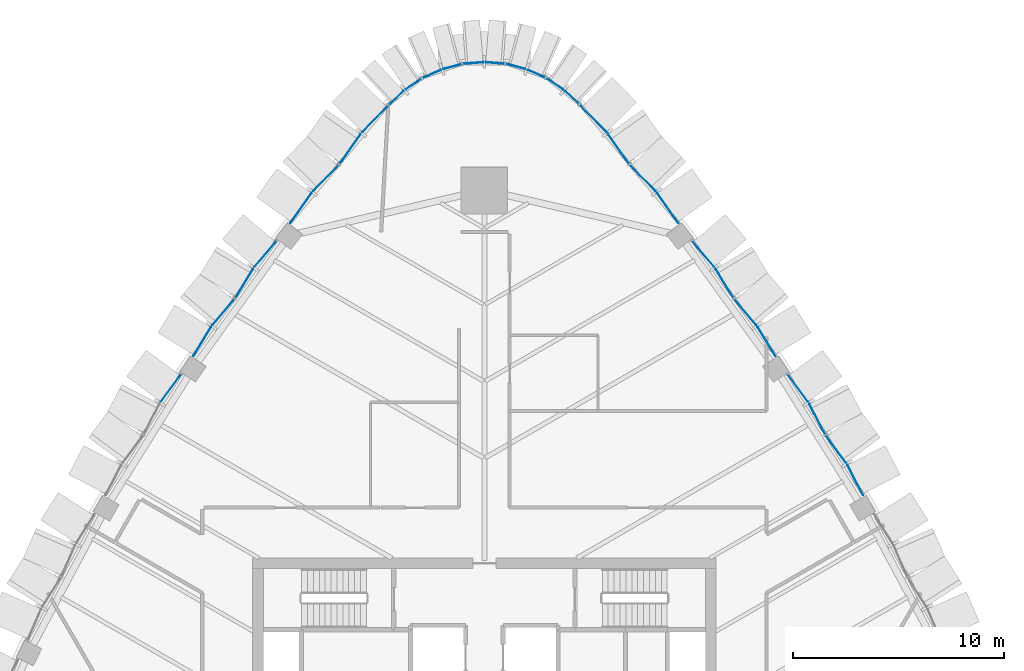
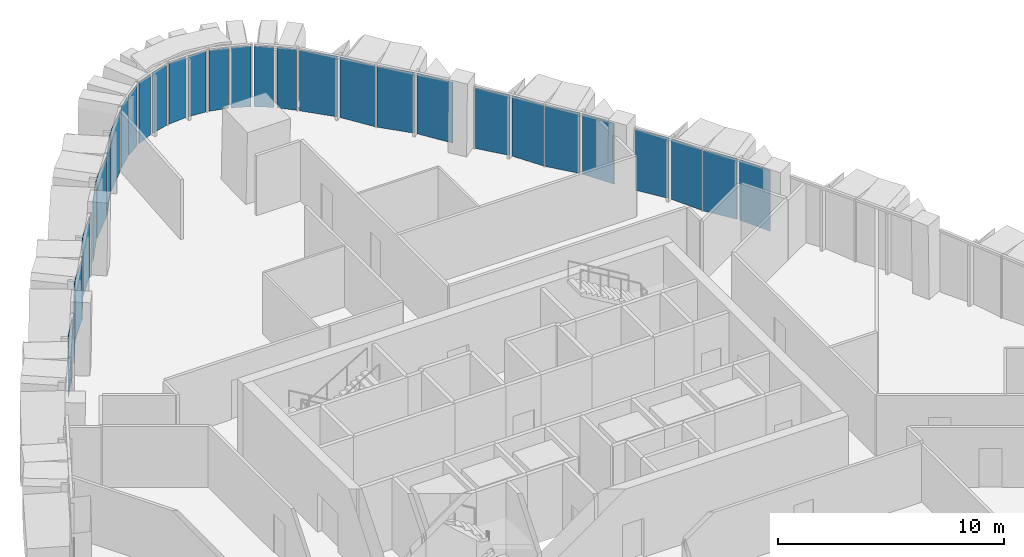
# One storey, part 11 of 20: 31 plates, 11 elements without a shape of their own.
"""IFC4 building model written with IfcOpenShell, lengths in metres."""

from ifc_helpers import new_model, si_unit, direction, frame, origin, place, context, subcontext, project, spatial, polyline, outline, extrude, material, layer, layer_set, type_object, element, aggregate, save


model = new_model("IFC4")

# Units and contexts
model_context = context("Model", 3, precision=1e-05, world=origin(), true_north=direction((0.0, 1.0)))
body_context = subcontext(model_context, "Body", "Model", "MODEL_VIEW")
ifc_project = project(units=[si_unit("LENGTHUNIT", "METRE"), si_unit("AREAUNIT", "SQUARE_METRE"), si_unit("VOLUMEUNIT", "CUBIC_METRE"), si_unit("PLANEANGLEUNIT", "RADIAN"), si_unit("MASSUNIT", "GRAM", prefix="KILO")], contexts=[model_context])

# Site, building, storey
site_placement = place(None, origin())
site = spatial("IfcSite", under=ifc_project, at=site_placement, CompositionType="ELEMENT")
building_placement = place(site_placement, origin())
building = spatial("IfcBuilding", under=site, at=building_placement, Name="Sierra Prisma Convention Tower", CompositionType="ELEMENT")
storey_placement = place(building_placement, frame((0.0, 0.0, 239.0)))
storey = spatial("IfcBuildingStorey", under=building, at=storey_placement, Name="L53", CompositionType="ELEMENT", Elevation=239.0)

# Curtain wall, plates
ifc_material_1 = material(Name="Aluminium and glass curtain wall", Category="aluminium")
ifc_layer_1 = layer(ifc_material_1, 0.179931640625)
ifc_layer_set_1 = layer_set([ifc_layer_1], Name="CW-2 Faceted crystal curtain wall")
curtain_wall_type = type_object("IfcCurtainWallType", Name="CW-2 Faceted crystal curtain wall", PredefinedType="NOTDEFINED", material=ifc_layer_set_1)
curtain_wall_1_placement = place(storey_placement, origin())
curtain_wall_1 = element("IfcCurtainWall", 1, at=curtain_wall_1_placement, inside=storey, type_object=curtain_wall_type, Name="CW-2 NE4 L53", PredefinedType="NOTDEFINED")
ifc_material_2 = material(Name="Tinted glass bronze-grey IGU", Category="glass")
ifc_layer_2 = layer(ifc_material_2, 0.028076171875)
ifc_layer_set_2 = layer_set([ifc_layer_2], Name="CW-2 crystal pane")
plate_type = type_object("IfcPlateType", Name="CW-2 crystal pane", PredefinedType="CURTAIN_PANEL", material=ifc_layer_set_2)
plate_1_placement = place(storey_placement, frame((17.999267578125, 10.991943359375, 0.0), z_axis=(0.887335550891, 0.46112430008, 0.0), x_axis=(-0.46112430008, 0.887335550891, 0.0)))
plate_1 = element("IfcPlate", 2, at=plate_1_placement, type_object=plate_type, Name="CW-2 pane NE4.1.1", PredefinedType="CURTAIN_PANEL", context=body_context, shape_type="SweptSolid", body=[
    extrude(outline(polyline([(0.0, 0.0), (1.6153411276434184, 0.0), (1.6153411276434184, 3.280029296875), (0.0, 3.280029296875), (0.0, 0.0)])), origin(), (0.0, 0.0, -1.0), 0.028076171875),
])
plate_2_placement = place(storey_placement, frame((16.22607421875, 13.83447265625, 0.0), z_axis=(0.804367703965, 0.594131800881, 0.0), x_axis=(0.594131800881, -0.804367703965, 0.0)))
plate_2 = element("IfcPlate", 3, at=plate_2_placement, type_object=plate_type, Name="CW-2 pane NE4.1.2", PredefinedType="CURTAIN_PANEL", context=body_context, shape_type="SweptSolid", body=[
    extrude(outline(polyline([(0.0, 0.0), (1.6153264232824354, 0.0), (1.6153264232824354, -3.280029296875), (0.0, -3.280029296875), (0.0, 0.0)])), origin(), (0.0, 0.0, -1.0), 0.028076171875),
])
plate_3_placement = place(storey_placement, frame((16.18896484375, 13.893798828125, 0.0), z_axis=(0.887397388959, 0.461005286378, 0.0), x_axis=(-0.461005286378, 0.887397388959, 0.0)))
plate_3 = element("IfcPlate", 4, at=plate_3_placement, type_object=plate_type, Name="CW-2 pane NE4.2.1", PredefinedType="CURTAIN_PANEL", context=body_context, shape_type="SweptSolid", body=[
    extrude(outline(polyline([(0.0, 0.0), (1.615228562996128, 0.0), (1.615228562996128, 3.280029296875), (0.0, 3.280029296875), (0.0, 0.0)])), origin(), (0.0, 0.0, -1.0), 0.028076171875),
])
plate_4_placement = place(storey_placement, frame((14.416015625, 16.736328125, 0.0), z_axis=(0.804367703965, 0.594131800881, 0.0), x_axis=(0.594131800881, -0.804367703965, 0.0)))
plate_4 = element("IfcPlate", 5, at=plate_4_placement, type_object=plate_type, Name="CW-2 pane NE4.2.2", PredefinedType="CURTAIN_PANEL", context=body_context, shape_type="SweptSolid", body=[
    extrude(outline(polyline([(0.0, 0.0), (1.6153264232824354, 0.0), (1.6153264232824354, -3.280029296875), (0.0, -3.280029296875), (0.0, 0.0)])), origin(), (0.0, 0.0, -1.0), 0.028076171875),
])
aggregate(curtain_wall_1, [plate_1, plate_2, plate_3, plate_4])

curtain_wall_2_placement = place(storey_placement, origin())
curtain_wall_2 = element("IfcCurtainWall", 6, at=curtain_wall_2_placement, inside=storey, type_object=curtain_wall_type, Name="CW-2 NE5 L53", PredefinedType="NOTDEFINED")
plate_5_placement = place(storey_placement, frame((13.829833984375, 17.609130859375, 0.0), z_axis=(0.853799468656, 0.520602023933, 0.0), x_axis=(-0.520602023933, 0.853799468656, 0.0)))
plate_5 = element("IfcPlate", 7, at=plate_5_placement, type_object=plate_type, Name="CW-2 pane NE5.1.1", PredefinedType="CURTAIN_PANEL", context=body_context, shape_type="SweptSolid", body=[
    extrude(outline(polyline([(0.0, 0.0), (1.6075889528381415, 0.0), (1.6075889528381415, 3.280029296875001), (0.0, 3.280029296875001), (0.0, 0.0)])), origin(), (0.0, 0.0, -1.0), 0.028076171875),
])
plate_6_placement = place(storey_placement, frame((11.8759765625, 20.311767578125, 0.0), z_axis=(0.76197304295, 0.647608741307, 0.0), x_axis=(0.647608741307, -0.76197304295, 0.0)))
plate_6 = element("IfcPlate", 8, at=plate_6_placement, type_object=plate_type, Name="CW-2 pane NE5.1.2", PredefinedType="CURTAIN_PANEL", context=body_context, shape_type="SweptSolid", body=[
    extrude(outline(polyline([(0.0, 0.0), (1.607476179056182, 0.0), (1.607476179056182, -3.280029296875), (0.0, -3.280029296875), (0.0, 0.0)])), origin(), (0.0, 0.0, -1.0), 0.028076171875),
])
plate_7_placement = place(storey_placement, frame((11.8349609375, 20.368408203125, 0.0), z_axis=(0.853840620782, 0.520534527484, 0.0), x_axis=(-0.520534527484, 0.853840620782, 0.0)))
plate_7 = element("IfcPlate", 9, at=plate_7_placement, type_object=plate_type, Name="CW-2 pane NE5.2.1", PredefinedType="CURTAIN_PANEL", context=body_context, shape_type="SweptSolid", body=[
    extrude(outline(polyline([(0.0, 0.0), (1.607797404997822, 0.0), (1.607797404997822, 3.280029296875), (0.0, 3.280029296875), (0.0, 0.0)])), origin(), (0.0, 0.0, -1.0), 0.028076171875),
])
plate_8_placement = place(storey_placement, frame((9.880859375, 23.0712890625, 0.0), z_axis=(0.761961796637, 0.647621973427, 0.0), x_axis=(0.647621973427, -0.761961796637, 0.0)))
plate_8 = element("IfcPlate", 10, at=plate_8_placement, type_object=plate_type, Name="CW-2 pane NE5.2.2", PredefinedType="CURTAIN_PANEL", context=body_context, shape_type="SweptSolid", body=[
    extrude(outline(polyline([(0.0, 0.0), (1.6078203154764132, 0.0), (1.6078203154764132, -3.280029296875), (0.0, -3.280029296875), (0.0, 0.0)])), origin(), (0.0, 0.0, -1.0), 0.028076171875),
])
aggregate(curtain_wall_2, [plate_5, plate_6, plate_7, plate_8])

curtain_wall_3_placement = place(storey_placement, origin())
curtain_wall_3 = element("IfcCurtainWall", 11, at=curtain_wall_3_placement, inside=storey, type_object=curtain_wall_type, Name="CW-2 NE6 L53", PredefinedType="NOTDEFINED")
plate_9_placement = place(storey_placement, frame((9.21875, 23.926513671875, 0.0), z_axis=(0.816459424416, 0.577402812845, 0.0), x_axis=(-0.577402812845, 0.816459424416, 0.0)))
plate_9 = element("IfcPlate", 12, at=plate_9_placement, type_object=plate_type, Name="CW-2 pane NE6.1.1", PredefinedType="CURTAIN_PANEL", context=body_context, shape_type="SweptSolid", body=[
    extrude(outline(polyline([(0.0, 0.0), (1.731047539974393, 0.0), (1.731047539974393, 3.280029296875), (0.0, 3.280029296875), (0.0, 0.0)])), origin(), (0.0, 0.0, -1.0), 0.028076171875),
])
plate_10_placement = place(storey_placement, frame((6.927734375, 26.678955078125, 0.0), z_axis=(0.716005426501, 0.698094713646, 0.0), x_axis=(0.698094713646, -0.716005426501, 0.0)))
plate_10 = element("IfcPlate", 13, at=plate_10_placement, type_object=plate_type, Name="CW-2 pane NE6.1.2", PredefinedType="CURTAIN_PANEL", context=body_context, shape_type="SweptSolid", body=[
    extrude(outline(polyline([(0.0, 0.0), (1.7311348591053497, 0.0), (1.7311348591053497, -3.280029296875), (0.0, -3.280029296875), (0.0, 0.0)])), origin(), (0.0, 0.0, -1.0), 0.028076171875),
])
plate_11_placement = place(storey_placement, frame((6.883056640625, 26.732666015625, 0.0), z_axis=(0.816392936221, 0.577496817037, 0.0), x_axis=(-0.577496817037, 0.816392936221, 0.0)))
plate_11 = element("IfcPlate", 14, at=plate_11_placement, type_object=plate_type, Name="CW-2 pane NE6.2.1", PredefinedType="CURTAIN_PANEL", context=body_context, shape_type="SweptSolid", body=[
    extrude(outline(polyline([(0.0, 0.0), (1.7311885189335863, 0.0), (1.7311885189335863, 3.280029296875), (0.0, 3.280029296875), (0.0, 0.0)])), origin(), (0.0, 0.0, -1.0), 0.028076171875),
])
plate_12_placement = place(storey_placement, frame((4.591796875, 29.485107421875, 0.0), z_axis=(0.716005426501, 0.698094713646, 0.0), x_axis=(0.698094713646, -0.716005426501, 0.0)))
plate_12 = element("IfcPlate", 15, at=plate_12_placement, type_object=plate_type, Name="CW-2 pane NE6.2.2", PredefinedType="CURTAIN_PANEL", context=body_context, shape_type="SweptSolid", body=[
    extrude(outline(polyline([(0.0, 0.0), (1.7311348591053497, 0.0), (1.7311348591053497, -3.280029296875), (0.0, -3.280029296875), (0.0, 0.0)])), origin(), (0.0, 0.0, -1.0), 0.028076171875),
])
aggregate(curtain_wall_3, [plate_9, plate_10, plate_11, plate_12])

curtain_wall_4_placement = place(storey_placement, origin())
curtain_wall_4 = element("IfcCurtainWall", 16, at=curtain_wall_4_placement, inside=storey, type_object=curtain_wall_type, Name="CW-2 N1 L53", PredefinedType="NOTDEFINED")
plate_13_placement = place(storey_placement, frame((4.492431640625, 29.58251953125, 0.0), z_axis=(0.683539403319, 0.729913614142, 0.0), x_axis=(-0.729913614142, 0.683539403319, 0.0)))
plate_13 = element("IfcPlate", 17, at=plate_13_placement, type_object=plate_type, Name="CW-2 pane N1.1.1", PredefinedType="CURTAIN_PANEL", context=body_context, shape_type="SweptSolid", body=[
    extrude(outline(polyline([(0.0, 0.0), (0.8897135906460458, 0.0), (0.8897135906460458, 3.280029296875), (0.0, 3.280029296875), (0.0, 0.0)])), origin(), (0.0, 0.0, -1.0), 0.028076171875),
])
plate_14_placement = place(storey_placement, frame((3.005126953125, 30.7705078125, 0.0), z_axis=(0.560890617047, 0.827889917627, 0.0), x_axis=(0.827889917627, -0.560890617047, 0.0)))
plate_14 = element("IfcPlate", 18, at=plate_14_placement, type_object=plate_type, Name="CW-2 pane N1.1.2", PredefinedType="CURTAIN_PANEL", context=body_context, shape_type="SweptSolid", body=[
    extrude(outline(polyline([(0.0, 0.0), (0.8896983160949907, 0.0), (0.8896983160949907, -3.280029296875), (0.0, -3.280029296875), (0.0, 0.0)])), origin(), (0.0, 0.0, -1.0), 0.028076171875),
])
aggregate(curtain_wall_4, [plate_13, plate_14])

curtain_wall_5_placement = place(storey_placement, origin())
curtain_wall_5 = element("IfcCurtainWall", 19, at=curtain_wall_5_placement, inside=storey, type_object=curtain_wall_type, Name="CW-2 N2 L53", PredefinedType="NOTDEFINED")
plate_15_placement = place(storey_placement, frame((2.88427734375, 30.83740234375, 0.0), z_axis=(0.4036672308, 0.914905878645, 0.0), x_axis=(-0.914905878645, 0.4036672308, 0.0)))
plate_15 = element("IfcPlate", 20, at=plate_15_placement, type_object=plate_type, Name="CW-2 pane N2.1.1", PredefinedType="CURTAIN_PANEL", context=body_context, shape_type="SweptSolid", body=[
    extrude(outline(polyline([(0.0, 0.0), (0.8896705800555551, 0.0), (0.8896705800555551, 3.280029296875), (0.0, 3.280029296875), (0.0, 0.0)])), origin(), (0.0, 0.0, -1.0), 0.028076171875),
])
plate_16_placement = place(storey_placement, frame((1.087890625, 31.466796875, 0.0), z_axis=(0.255749252526, 0.966743150911, 0.0), x_axis=(0.966743150911, -0.255749252526, 0.0)))
plate_16 = element("IfcPlate", 21, at=plate_16_placement, type_object=plate_type, Name="CW-2 pane N2.1.2", PredefinedType="CURTAIN_PANEL", context=body_context, shape_type="SweptSolid", body=[
    extrude(outline(polyline([(0.0, 0.0), (0.8896959042997995, 0.0), (0.8896959042997995, -3.280029296875), (0.0, -3.280029296875), (0.0, 0.0)])), origin(), (0.0, 0.0, -1.0), 0.028076171875),
])
aggregate(curtain_wall_5, [plate_15, plate_16])

curtain_wall_6_placement = place(storey_placement, origin())
curtain_wall_6 = element("IfcCurtainWall", 22, at=curtain_wall_6_placement, inside=storey, type_object=curtain_wall_type, Name="CW-2 N3 L53", PredefinedType="NOTDEFINED")
plate_17_placement = place(storey_placement, frame((0.95166015625, 31.489990234375, 0.0), z_axis=(0.078480012818, 0.996915687302, 0.0), x_axis=(-0.996915687302, 0.078480012818, 0.0)))
plate_17 = element("IfcPlate", 23, at=plate_17_placement, type_object=plate_type, Name="CW-2 pane N3.1.1", PredefinedType="CURTAIN_PANEL", context=body_context, shape_type="SweptSolid", body=[
    extrude(outline(polyline([(0.0, 0.0), (0.8897070253009716, 0.0), (0.8897070253009716, 3.280029296875), (0.0, 3.280029296875), (0.0, 0.0)])), origin(), (0.0, 0.0, -1.0), 0.028076171875),
])
plate_18_placement = place(storey_placement, frame((-0.95166015625, 31.489990234375, 0.0), z_axis=(-0.078480012818, 0.996915687302, 0.0), x_axis=(0.996915687302, 0.078480012818, 0.0)))
plate_18 = element("IfcPlate", 24, at=plate_18_placement, type_object=plate_type, Name="CW-2 pane N3.1.2", PredefinedType="CURTAIN_PANEL", context=body_context, shape_type="SweptSolid", body=[
    extrude(outline(polyline([(0.0, 0.0), (0.8897070253009716, 0.0), (0.8897070253009716, -3.280029296875), (0.0, -3.280029296875), (0.0, 0.0)])), origin(), (0.0, 0.0, -1.0), 0.028076171875),
])
aggregate(curtain_wall_6, [plate_17, plate_18])

curtain_wall_7_placement = place(storey_placement, origin())
curtain_wall_7 = element("IfcCurtainWall", 25, at=curtain_wall_7_placement, inside=storey, type_object=curtain_wall_type, Name="CW-2 N4 L53", PredefinedType="NOTDEFINED")
plate_19_placement = place(storey_placement, frame((-1.087890625, 31.466796875, 0.0), z_axis=(-0.255749252526, 0.966743150911, 0.0), x_axis=(-0.966743150911, -0.255749252526, 0.0)))
plate_19 = element("IfcPlate", 26, at=plate_19_placement, type_object=plate_type, Name="CW-2 pane N4.1.1", PredefinedType="CURTAIN_PANEL", context=body_context, shape_type="SweptSolid", body=[
    extrude(outline(polyline([(0.0, 0.0), (0.8896959042997995, 0.0), (0.8896959042997995, 3.280029296875), (0.0, 3.280029296875), (0.0, 0.0)])), origin(), (0.0, 0.0, -1.0), 0.028076171875),
])
plate_20_placement = place(storey_placement, frame((-2.88427734375, 30.83740234375, 0.0), z_axis=(-0.4036672308, 0.914905878645, 0.0), x_axis=(0.914905878645, 0.4036672308, 0.0)))
plate_20 = element("IfcPlate", 27, at=plate_20_placement, type_object=plate_type, Name="CW-2 pane N4.1.2", PredefinedType="CURTAIN_PANEL", context=body_context, shape_type="SweptSolid", body=[
    extrude(outline(polyline([(0.0, 0.0), (0.8896705800555551, 0.0), (0.8896705800555551, -3.280029296875), (0.0, -3.280029296875), (0.0, 0.0)])), origin(), (0.0, 0.0, -1.0), 0.028076171875),
])
aggregate(curtain_wall_7, [plate_19, plate_20])

curtain_wall_8_placement = place(storey_placement, origin())
curtain_wall_8 = element("IfcCurtainWall", 28, at=curtain_wall_8_placement, inside=storey, type_object=curtain_wall_type, Name="CW-2 N5 L53", PredefinedType="NOTDEFINED")
plate_21_placement = place(storey_placement, frame((-3.005126953125, 30.7705078125, 0.0), z_axis=(-0.560890617047, 0.827889917627, 0.0), x_axis=(-0.827889917627, -0.560890617047, 0.0)))
plate_21 = element("IfcPlate", 29, at=plate_21_placement, type_object=plate_type, Name="CW-2 pane N5.1.1", PredefinedType="CURTAIN_PANEL", context=body_context, shape_type="SweptSolid", body=[
    extrude(outline(polyline([(0.0, 0.0), (0.8896983160949907, 0.0), (0.8896983160949907, 3.280029296875), (0.0, 3.280029296875), (0.0, 0.0)])), origin(), (0.0, 0.0, -1.0), 0.028076171875),
])
plate_22_placement = place(storey_placement, frame((-4.492431640625, 29.58251953125, 0.0), z_axis=(-0.683539403319, 0.729913614142, 0.0), x_axis=(0.729913614142, 0.683539403319, 0.0)))
plate_22 = element("IfcPlate", 30, at=plate_22_placement, type_object=plate_type, Name="CW-2 pane N5.1.2", PredefinedType="CURTAIN_PANEL", context=body_context, shape_type="SweptSolid", body=[
    extrude(outline(polyline([(0.0, 0.0), (0.8897135906460458, 0.0), (0.8897135906460458, -3.280029296875), (0.0, -3.280029296875), (0.0, 0.0)])), origin(), (0.0, 0.0, -1.0), 0.028076171875),
])
aggregate(curtain_wall_8, [plate_21, plate_22])

curtain_wall_9_placement = place(storey_placement, origin())
curtain_wall_9 = element("IfcCurtainWall", 31, at=curtain_wall_9_placement, inside=storey, type_object=curtain_wall_type, Name="CW-2 NW1 L53", PredefinedType="NOTDEFINED")
plate_23_placement = place(storey_placement, frame((-4.591796875, 29.485107421875, 0.0), z_axis=(-0.716005426501, 0.698094713646, 0.0), x_axis=(-0.698094713646, -0.716005426501, 0.0)))
plate_23 = element("IfcPlate", 32, at=plate_23_placement, type_object=plate_type, Name="CW-2 pane NW1.1.1", PredefinedType="CURTAIN_PANEL", context=body_context, shape_type="SweptSolid", body=[
    extrude(outline(polyline([(0.0, 0.0), (1.7311348591053497, 0.0), (1.7311348591053497, 3.280029296875), (0.0, 3.280029296875), (0.0, 0.0)])), origin(), (0.0, 0.0, -1.0), 0.028076171875),
])
plate_24_placement = place(storey_placement, frame((-6.883056640625, 26.732666015625, 0.0), z_axis=(-0.816392936221, 0.577496817037, 0.0), x_axis=(0.577496817037, 0.816392936221, 0.0)))
plate_24 = element("IfcPlate", 33, at=plate_24_placement, type_object=plate_type, Name="CW-2 pane NW1.1.2", PredefinedType="CURTAIN_PANEL", context=body_context, shape_type="SweptSolid", body=[
    extrude(outline(polyline([(0.0, 0.0), (1.7311885189335863, 0.0), (1.7311885189335863, -3.280029296875), (0.0, -3.280029296875), (0.0, 0.0)])), origin(), (0.0, 0.0, -1.0), 0.028076171875),
])
plate_25_placement = place(storey_placement, frame((-6.927734375, 26.678955078125, 0.0), z_axis=(-0.716005426501, 0.698094713646, 0.0), x_axis=(-0.698094713646, -0.716005426501, 0.0)))
plate_25 = element("IfcPlate", 34, at=plate_25_placement, type_object=plate_type, Name="CW-2 pane NW1.2.1", PredefinedType="CURTAIN_PANEL", context=body_context, shape_type="SweptSolid", body=[
    extrude(outline(polyline([(0.0, 0.0), (1.7311348591053497, 0.0), (1.7311348591053497, 3.280029296875), (0.0, 3.280029296875), (0.0, 0.0)])), origin(), (0.0, 0.0, -1.0), 0.028076171875),
])
plate_26_placement = place(storey_placement, frame((-9.21875, 23.926513671875, 0.0), z_axis=(-0.816459424416, 0.577402812845, 0.0), x_axis=(0.577402812845, 0.816459424416, 0.0)))
plate_26 = element("IfcPlate", 35, at=plate_26_placement, type_object=plate_type, Name="CW-2 pane NW1.2.2", PredefinedType="CURTAIN_PANEL", context=body_context, shape_type="SweptSolid", body=[
    extrude(outline(polyline([(0.0, 0.0), (1.731047539974393, 0.0), (1.731047539974393, -3.280029296875), (0.0, -3.280029296875), (0.0, 0.0)])), origin(), (0.0, 0.0, -1.0), 0.028076171875),
])
aggregate(curtain_wall_9, [plate_23, plate_24, plate_25, plate_26])

curtain_wall_10_placement = place(storey_placement, origin())
curtain_wall_10 = element("IfcCurtainWall", 36, at=curtain_wall_10_placement, inside=storey, type_object=curtain_wall_type, Name="CW-2 NW2 L53", PredefinedType="NOTDEFINED")
plate_27_placement = place(storey_placement, frame((-9.882080078125, 23.06982421875, 0.0), z_axis=(-0.761984293849, 0.647595503325, 0.0), x_axis=(-0.647595503325, -0.761984293849, 0.0)))
plate_27 = element("IfcPlate", 37, at=plate_27_placement, type_object=plate_type, Name="CW-2 pane NW2.1.1", PredefinedType="CURTAIN_PANEL", context=body_context, shape_type="SweptSolid", body=[
    extrude(outline(polyline([(0.0, 0.0), (1.6071320431209228, 0.0), (1.6071320431209228, 3.280029296875), (0.0, 3.280029296875), (0.0, 0.0)])), origin(), (0.0, 0.0, -1.0), 0.028076171875),
])
plate_28_placement = place(storey_placement, frame((-11.83544921875, 20.36767578125, 0.0), z_axis=(-0.853866970389, 0.520491303366, 0.0), x_axis=(0.520491303366, 0.853866970389, 0.0)))
plate_28 = element("IfcPlate", 38, at=plate_28_placement, type_object=plate_type, Name="CW-2 pane NW2.1.2", PredefinedType="CURTAIN_PANEL", context=body_context, shape_type="SweptSolid", body=[
    extrude(outline(polyline([(0.0, 0.0), (1.607461866249802, 0.0), (1.607461866249802, -3.280029296875), (0.0, -3.280029296875), (0.0, 0.0)])), origin(), (0.0, 0.0, -1.0), 0.028076171875),
])
plate_29_placement = place(storey_placement, frame((-11.87646484375, 20.31103515625, 0.0), z_axis=(-0.761984293849, 0.647595503325, 0.0), x_axis=(-0.647595503325, -0.761984293849, 0.0)))
plate_29 = element("IfcPlate", 39, at=plate_29_placement, type_object=plate_type, Name="CW-2 pane NW2.2.1", PredefinedType="CURTAIN_PANEL", context=body_context, shape_type="SweptSolid", body=[
    extrude(outline(polyline([(0.0, 0.0), (1.6071320431209228, 0.0), (1.6071320431209228, 3.280029296875), (0.0, 3.280029296875), (0.0, 0.0)])), origin(), (0.0, 0.0, -1.0), 0.028076171875),
])
plate_30_placement = place(storey_placement, frame((-13.829833984375, 17.609130859375, 0.0), z_axis=(-0.853825816506, 0.520558810384, 0.0), x_axis=(0.520558810384, 0.853825816506, 0.0)))
plate_30 = element("IfcPlate", 40, at=plate_30_placement, type_object=plate_type, Name="CW-2 pane NW2.2.2", PredefinedType="CURTAIN_PANEL", context=body_context, shape_type="SweptSolid", body=[
    extrude(outline(polyline([(0.0, 0.0), (1.6072534076573262, 0.0), (1.6072534076573262, -3.280029296875001), (0.0, -3.280029296875001), (0.0, 0.0)])), origin(), (0.0, 0.0, -1.0), 0.028076171875),
])
aggregate(curtain_wall_10, [plate_27, plate_28, plate_29, plate_30])

# Curtain wall, plate
curtain_wall_11_placement = place(storey_placement, origin())
curtain_wall_11 = element("IfcCurtainWall", 41, at=curtain_wall_11_placement, inside=storey, type_object=curtain_wall_type, Name="CW-2 NW3 L53", PredefinedType="NOTDEFINED")
plate_31_placement = place(storey_placement, frame((-14.416015625, 16.736083984375, 0.0), z_axis=(-0.804314342892, 0.594204037194, 0.0), x_axis=(-0.594204037194, -0.804314342892, 0.0)))
plate_31 = element("IfcPlate", 42, at=plate_31_placement, type_object=plate_type, Name="CW-2 pane NW3.1.1", PredefinedType="CURTAIN_PANEL", context=body_context, shape_type="SweptSolid", body=[
    extrude(outline(polyline([(0.0, 0.0), (1.615130050961866, 0.0), (1.615130050961866, 3.280029296875), (0.0, 3.280029296875), (0.0, 0.0)])), origin(), (0.0, 0.0, -1.0), 0.028076171875),
])
aggregate(curtain_wall_11, [plate_31])

save(model, "model.ifc")
